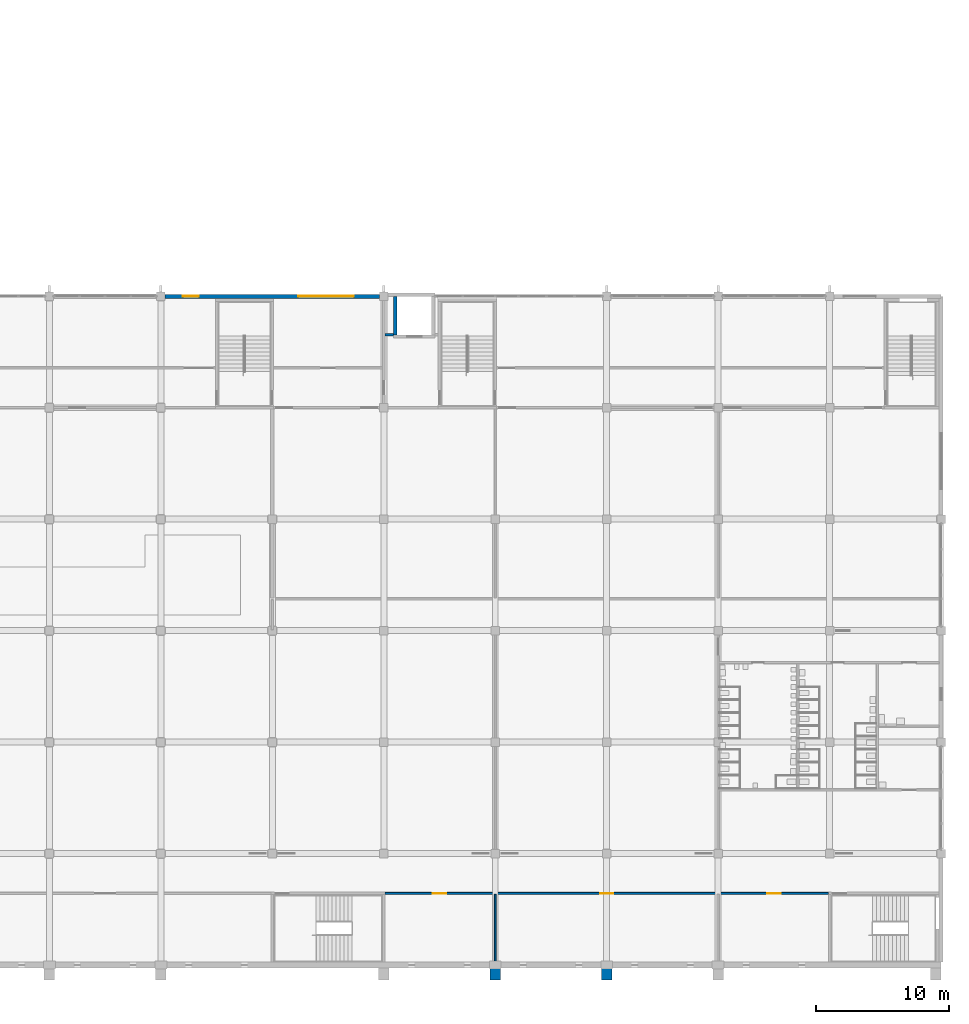
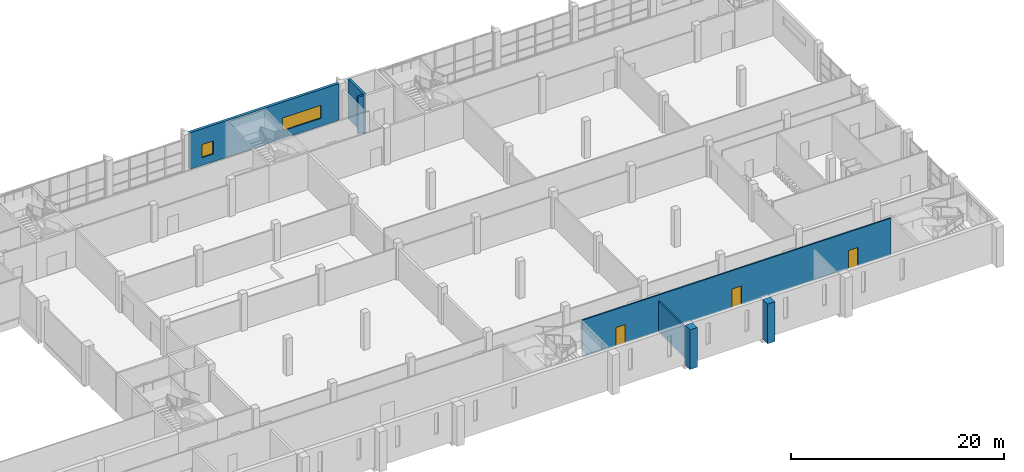
# One storey, part 29 of 64: 7 walls, 3 doors, 2 windows, 5 openings.
"""IFC4 building model written with IfcOpenShell, lengths in metres."""

from ifc_helpers import new_model, si_unit, direction, frame, frame_2d, origin, place, context, subcontext, project, spatial, rectangle, extrude, material, layer, layer_set, type_object, element, fill, save


model = new_model("IFC4")

# Units and contexts
model_context = context("Model", 3, precision=1e-05, world=origin(), true_north=direction((0.0, 1.0)))
body_context = subcontext(model_context, "Body", "Model", "MODEL_VIEW")
ifc_project = project(units=[si_unit("LENGTHUNIT", "METRE"), si_unit("AREAUNIT", "SQUARE_METRE"), si_unit("VOLUMEUNIT", "CUBIC_METRE"), si_unit("PLANEANGLEUNIT", "RADIAN"), si_unit("MASSUNIT", "GRAM", prefix="KILO")], contexts=[model_context])

# Site, building, storey
site_placement = place(None, origin())
site = spatial("IfcSite", under=ifc_project, at=site_placement, CompositionType="ELEMENT")
building_placement = place(site_placement, origin())
building = spatial("IfcBuilding", under=site, at=building_placement, Name="Rulbaag Community and Learning Centre", CompositionType="ELEMENT")
storey_placement = place(building_placement, frame((0.0, 0.0, 5.39990234375)))
storey = spatial("IfcBuildingStorey", under=building, at=storey_placement, Name="L01", CompositionType="ELEMENT", Elevation=5.39990234375)

# Walls
ifc_material_1 = material(Name="Concrete M40", Category="concrete")
ifc_layer_1 = layer(ifc_material_1, 0.800048828125)
ifc_layer_set_1 = layer_set([ifc_layer_1], Name="EW-BTR")
wall_type_1 = type_object("IfcWallType", Name="EW-BTR", PredefinedType="SOLIDWALL", material=ifc_layer_set_1)
for number, where, z_axis, x_axis, name in (
    (1, (134.39990234375, -0.22509765625, -0.2998046875), (0.0, 0.0, 1.0), (0.0, -1.0, 0.0), "Buttress pier"),
    (2, (142.800048828125, -0.22509765625, -0.2998046875), (0.0, 0.0, 1.0), (0.0, -1.0, 0.0), "Buttress pier"),
):
    element("IfcWall", number, at=place(storey_placement, frame(where, z_axis=z_axis, x_axis=x_axis)), inside=storey, type_object=wall_type_1, Name=name, PredefinedType="SOLIDWALL", context=body_context, shape_type="SweptSolid", body=[
        extrude(rectangle(XDim=0.89990234375, YDim=0.800048828125, at=frame_2d((0.449951171875, 0.0))), origin(), (0.0, 0.0, 1.0), 4.5498046875),
    ])

# Wall, openings, windows
ifc_layer_2 = layer(ifc_material_1, 0.300048828125)
ifc_layer_set_2 = layer_set([ifc_layer_2], Name="EW-CONC300")
wall_type_2 = type_object("IfcWallType", Name="EW-CONC300", PredefinedType="STANDARD", material=ifc_layer_set_2)
wall_1_placement = place(storey_placement, frame((109.52490234375, 50.39990234375, 0.0), z_axis=(0.0, 0.0, 1.0), x_axis=(1.0, 0.0, 0.0)))
wall_1 = element("IfcWall", 3, at=wall_1_placement, inside=storey, type_object=wall_type_2, Name="Board-marked concrete cladding wall AN", PredefinedType="STANDARD", context=body_context, shape_type="SweptSolid", body=[
    extrude(rectangle(XDim=16.150146484375, YDim=0.300048828125, at=frame_2d((8.0751953125, 0.0))), origin(), (0.0, 0.0, 1.0), 4.2001953125),
])
opening_1_placement = place(wall_1_placement, frame((1.33740234375, 0.0, 0.89990234375)))
opening_1 = element("IfcOpeningElement", 4, at=opening_1_placement, cuts=wall_1, Name="Opening WN1", PredefinedType="OPENING", context=body_context, shape_type="SweptSolid", body=[
    extrude(rectangle(XDim=1.199951171875, YDim=1.5, at=frame_2d((0.60009765625, 0.75))), frame((0.0, 0.159912109375, 0.0), z_axis=(0.0, -1.0, 0.0), x_axis=(1.0, 0.0, 0.0)), (0.0, 0.0, 1.0), 0.320068359375),
])
opening_2_placement = place(wall_1_placement, frame((10.02490234375, 0.0, 0.89990234375)))
opening_2 = element("IfcOpeningElement", 5, at=opening_2_placement, cuts=wall_1, Name="Opening WN4", PredefinedType="OPENING", context=body_context, shape_type="SweptSolid", body=[
    extrude(rectangle(XDim=4.199951171875, YDim=1.5, at=frame_2d((2.10009765625, 0.75))), frame((0.0, 0.159912109375, 0.0), z_axis=(0.0, -1.0, 0.0), x_axis=(1.0, 0.0, 0.0)), (0.0, 0.0, 1.0), 0.320068359375),
])
ifc_material_2 = material(Name="Aluminium", Category="aluminium")
window_type_1 = type_object("IfcWindowType", Name="WN-12", PartitioningType="SINGLE_PANEL", PredefinedType="WINDOW", material=ifc_material_2)
window_1_placement = place(opening_1_placement, origin())
window_1 = element("IfcWindow", 6, at=window_1_placement, inside=storey, type_object=window_type_1, Name="Window WN1", OverallHeight=1.5, OverallWidth=1.199951171875, PartitioningType="SINGLE_PANEL", PredefinedType="WINDOW", context=body_context, shape_type="SweptSolid", body=[
    extrude(rectangle(XDim=1.199951171875, YDim=1.5, at=frame_2d((0.60009765625, 0.75))), frame((0.0, 0.030029296875, 0.0), z_axis=(0.0, -1.0, 0.0), x_axis=(1.0, 0.0, 0.0)), (0.0, 0.0, 1.0), 0.06005859375),
])
fill(opening_1, window_1)
window_type_2 = type_object("IfcWindowType", Name="WN-42", PartitioningType="TRIPLE_PANEL_VERTICAL", PredefinedType="WINDOW", material=ifc_material_2)
window_2_placement = place(opening_2_placement, origin())
window_2 = element("IfcWindow", 7, at=window_2_placement, inside=storey, type_object=window_type_2, Name="Window WN4", OverallHeight=1.5, OverallWidth=4.199951171875, PartitioningType="SINGLE_PANEL", PredefinedType="WINDOW", context=body_context, shape_type="SweptSolid", body=[
    extrude(rectangle(XDim=4.199951171875, YDim=1.5, at=frame_2d((2.10009765625, 0.75))), frame((0.0, 0.030029296875, 0.0), z_axis=(0.0, -1.0, 0.0), x_axis=(1.0, 0.0, 0.0)), (0.0, 0.0, 1.0), 0.06005859375),
])
fill(opening_2, window_2)

# Wall
ifc_material_3 = material(Name="Concrete blockwork", Category="masonry")
ifc_layer_3 = layer(ifc_material_3, 0.199951171875)
ifc_layer_set_3 = layer_set([ifc_layer_3], Name="FW-200 FIRE WALL 200")
wall_type_3 = type_object("IfcWallType", Name="FW-200 FIRE WALL 200", PredefinedType="SOLIDWALL", material=ifc_layer_set_3)
wall_2_placement = place(storey_placement, frame((126.10009765625, 47.5, 0.0), z_axis=(0.0, 0.0, 1.0), x_axis=(1.0, 0.0, 0.0)))
element("IfcWall", 8, at=wall_2_placement, inside=storey, type_object=wall_type_3, Name="Fire wall L01 35", PredefinedType="SOLIDWALL", context=body_context, shape_type="SweptSolid", body=[
    extrude(rectangle(XDim=0.64990234375, YDim=0.199951171875, at=frame_2d((0.324951171875, 0.0))), origin(), (0.0, 0.0, 1.0), 4.2001953125),
])

# Wall, openings, doors
ifc_layer_4 = layer(ifc_material_3, 0.14990234375)
ifc_layer_set_4 = layer_set([ifc_layer_4], Name="IP-150 PARTITION 150")
wall_type_4 = type_object("IfcWallType", Name="IP-150 PARTITION 150", PredefinedType="PARTITIONING", material=ifc_layer_set_4)
wall_3_placement = place(storey_placement, frame((126.10009765625, 5.39990234375, 0.0), z_axis=(0.0, 0.0, 1.0), x_axis=(1.0, 0.0, 0.0)))
wall_3 = element("IfcWall", 9, at=wall_3_placement, inside=storey, type_object=wall_type_4, Name="Partition L01 4", PredefinedType="PARTITIONING", context=body_context, shape_type="SweptSolid", body=[
    extrude(rectangle(XDim=33.39990234375, YDim=0.14990234375, at=frame_2d((16.699951171875, 0.0))), origin(), (0.0, 0.0, 1.0), 4.2001953125),
])
opening_3_placement = place(wall_3_placement, frame((3.60009765625, 0.0, 0.0)))
opening_3 = element("IfcOpeningElement", 10, at=opening_3_placement, cuts=wall_3, Name="Opening L01-D087", PredefinedType="OPENING", context=body_context, shape_type="SweptSolid", body=[
    extrude(rectangle(XDim=1.0, YDim=2.10009765625, at=frame_2d((0.5, 1.050048828125))), frame((0.0, 0.0849609375, 0.0), z_axis=(0.0, -1.0, 0.0), x_axis=(1.0, 0.0, 0.0)), (0.0, 0.0, 1.0), 0.169921875),
])
opening_4_placement = place(wall_3_placement, frame((16.199951171875, 0.0, 0.0)))
opening_4 = element("IfcOpeningElement", 11, at=opening_4_placement, cuts=wall_3, Name="Opening L01-D094", PredefinedType="OPENING", context=body_context, shape_type="SweptSolid", body=[
    extrude(rectangle(XDim=1.0, YDim=2.10009765625, at=frame_2d((0.5, 1.050048828125))), frame((0.0, 0.0849609375, 0.0), z_axis=(0.0, -1.0, 0.0), x_axis=(1.0, 0.0, 0.0)), (0.0, 0.0, 1.0), 0.169921875),
])
opening_5_placement = place(wall_3_placement, frame((28.800048828125, 0.0, 0.0)))
opening_5 = element("IfcOpeningElement", 12, at=opening_5_placement, cuts=wall_3, Name="Opening L01-D126", PredefinedType="OPENING", context=body_context, shape_type="SweptSolid", body=[
    extrude(rectangle(XDim=1.0, YDim=2.10009765625, at=frame_2d((0.5, 1.050048828125))), frame((0.0, 0.0849609375, 0.0), z_axis=(0.0, -1.0, 0.0), x_axis=(1.0, 0.0, 0.0)), (0.0, 0.0, 1.0), 0.169921875),
])
ifc_material_4 = material(Name="Timber", Category="wood")
door_type = type_object("IfcDoorType", Name="D-1000 DOOR 1000 x 2100", OperationType="SINGLE_SWING_LEFT", PredefinedType="DOOR", material=ifc_material_4)
door_1_placement = place(opening_3_placement, origin())
door_1 = element("IfcDoor", 13, at=door_1_placement, inside=storey, type_object=door_type, Name="Door L01-D087", OperationType="SINGLE_SWING_LEFT", OverallHeight=2.10009765625, OverallWidth=1.0, PredefinedType="DOOR", context=body_context, shape_type="SweptSolid", body=[
    extrude(rectangle(XDim=1.0, YDim=2.10009765625, at=frame_2d((0.5, 1.050048828125))), frame((0.0, 0.02490234375, 0.0), z_axis=(0.0, -1.0, 0.0), x_axis=(1.0, 0.0, 0.0)), (0.0, 0.0, 1.0), 0.050048828125),
])
fill(opening_3, door_1)
door_2_placement = place(opening_4_placement, origin())
door_2 = element("IfcDoor", 14, at=door_2_placement, inside=storey, type_object=door_type, Name="Door L01-D094", OperationType="SINGLE_SWING_RIGHT", OverallHeight=2.10009765625, OverallWidth=1.0, PredefinedType="DOOR", context=body_context, shape_type="SweptSolid", body=[
    extrude(rectangle(XDim=1.0, YDim=2.10009765625, at=frame_2d((0.5, 1.050048828125))), frame((0.0, 0.02490234375, 0.0), z_axis=(0.0, -1.0, 0.0), x_axis=(1.0, 0.0, 0.0)), (0.0, 0.0, 1.0), 0.050048828125),
])
fill(opening_4, door_2)
door_3_placement = place(opening_5_placement, origin())
door_3 = element("IfcDoor", 15, at=door_3_placement, inside=storey, type_object=door_type, Name="Door L01-D126", OperationType="SINGLE_SWING_RIGHT", OverallHeight=2.10009765625, OverallWidth=1.0, PredefinedType="DOOR", context=body_context, shape_type="SweptSolid", body=[
    extrude(rectangle(XDim=1.0, YDim=2.10009765625, at=frame_2d((0.5, 1.050048828125))), frame((0.0, 0.02490234375, 0.0), z_axis=(0.0, -1.0, 0.0), x_axis=(1.0, 0.0, 0.0)), (0.0, 0.0, 1.0), 0.050048828125),
])
fill(opening_5, door_3)

# Walls
wall_4_placement = place(storey_placement, frame((134.39990234375, 0.22509765625, 0.0), z_axis=(0.0, 0.0, 1.0), x_axis=(0.0, 1.0, 0.0)))
element("IfcWall", 16, at=wall_4_placement, inside=storey, type_object=wall_type_4, Name="Partition L01 72", PredefinedType="PARTITIONING", context=body_context, shape_type="SweptSolid", body=[
    extrude(rectangle(XDim=5.099853515625, YDim=0.14990234375, at=frame_2d((2.5498046875, 0.0))), origin(), (0.0, 0.0, 1.0), 3.5),
])
ifc_layer_5 = layer(ifc_material_1, 0.25)
ifc_layer_set_5 = layer_set([ifc_layer_5], Name="W8 Lift shaft wall 250 Concrete M40")
wall_type_5 = type_object("IfcWallType", Name="W8 Lift shaft wall 250 Concrete M40", PredefinedType="SHEAR", material=ifc_layer_set_5)
wall_5_placement = place(storey_placement, frame((126.875, 47.5, -0.2998046875), z_axis=(0.0, 0.0, 1.0), x_axis=(0.0, 1.0, 0.0)))
element("IfcWall", 17, at=wall_5_placement, inside=storey, type_object=wall_type_5, Name="WL-LH3-W-L01", PredefinedType="SHEAR", context=body_context, shape_type="SweptSolid", body=[
    extrude(rectangle(XDim=2.89990234375, YDim=0.25, at=frame_2d((1.449951171875, 0.0))), origin(), (0.0, 0.0, 1.0), 4.5498046875),
])

save(model, "model.ifc")
